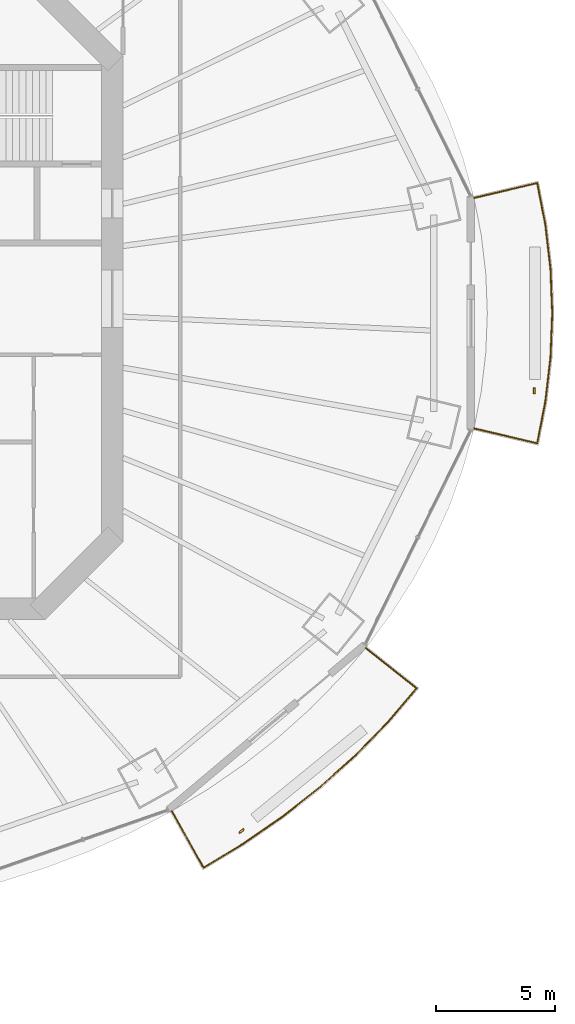
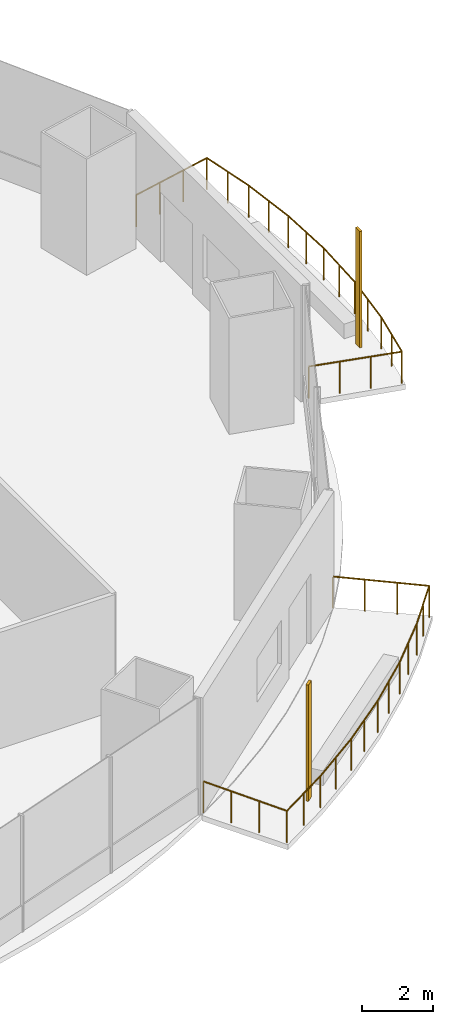
# One storey, part 16 of 19: 2 railings, 2 shading devices.
"""IFC4 building model written with IfcOpenShell, lengths in metres."""

from ifc_helpers import new_model, si_unit, direction, frame, origin, origin_2d, place, context, subcontext, project, spatial, rectangle, circle, extrude, material, material_profile, profile_set, type_object, element, save


model = new_model("IFC4")

# Units and contexts
model_context = context("Model", 3, precision=1e-05, world=origin(), true_north=direction((0.0, 1.0)))
body_context = subcontext(model_context, "Body", "Model", "MODEL_VIEW")
ifc_project = project(units=[si_unit("LENGTHUNIT", "METRE"), si_unit("AREAUNIT", "SQUARE_METRE"), si_unit("VOLUMEUNIT", "CUBIC_METRE"), si_unit("PLANEANGLEUNIT", "RADIAN"), si_unit("MASSUNIT", "GRAM", prefix="KILO")], contexts=[model_context])

# Site, building, storey
site_placement = place(None, origin())
site = spatial("IfcSite", under=ifc_project, at=site_placement, CompositionType="ELEMENT")
building_placement = place(site_placement, origin())
building = spatial("IfcBuilding", under=site, at=building_placement, Name="Marenthal Gate Tower", CompositionType="ELEMENT")
storey_placement = place(building_placement, frame((0.0, 0.0, 252.35009765625)))
storey = spatial("IfcBuildingStorey", under=building, at=storey_placement, Name="L56", CompositionType="ELEMENT", Elevation=252.35009765625)

# Railings
ifc_material_1 = material(Name="Stainless steel", Category="steel")
railing_type = type_object("IfcRailingType", Name="Balcony guard 1100", PredefinedType="GUARDRAIL", material=ifc_material_1)
railing_1_placement = place(storey_placement, frame((26.63037109375, -14.637451171875, 0.0)))
element("IfcRailing", 1, at=railing_1_placement, inside=storey, type_object=railing_type, Name="Balcony guard L56 bay 14", PredefinedType="GUARDRAIL", context=body_context, shape_type="SweptSolid", body=[
    extrude(circle(Radius=0.02392578125, at=origin_2d()), frame((0.0, 0.0, 1.076171875), z_axis=(0.783055581805, -0.621777543925, -0.014718752483), x_axis=(0.621844906334, 0.783140416826, 0.0)), (0.0, 0.0, 1.0), 2.72021484375),
    extrude(circle(Radius=0.02392578125, at=origin_2d()), frame((2.130126953125, -1.69140625, 1.0361328125), z_axis=(-0.649809223688, -0.760097344298, 0.0), x_axis=(0.760097344298, -0.649809223688, 0.0)), (0.0, 0.0, 1.0), 1.864013671875),
    extrude(circle(Radius=0.02392578125, at=origin_2d()), frame((0.9189453125, -3.108154296875, 1.0361328125), z_axis=(-0.698521536326, -0.715589032398, 0.0), x_axis=(0.715589032398, -0.698521536326, 0.0)), (0.0, 0.0, 1.0), 1.959716796875),
    extrude(circle(Radius=0.02392578125, at=origin_2d()), frame((-0.449951171875, -4.510498046875, 1.0361328125), z_axis=(-0.744196610974, -0.667960630737, 0.0), x_axis=(0.667960630737, -0.744196610974, 0.0)), (0.0, 0.0, 1.0), 1.975830078125),
    extrude(circle(Radius=0.02392578125, at=origin_2d()), frame((-1.92041015625, -5.830322265625, 1.0361328125), z_axis=(-0.785663114819, -0.618654564367, 0.0), x_axis=(0.618654564367, -0.785663114819, 0.0)), (0.0, 0.0, 1.0), 1.992431640625),
    extrude(circle(Radius=0.02392578125, at=origin_2d()), frame((-3.48583984375, -7.06298828125, 1.0361328125), z_axis=(-0.823079547335, -0.567926103256, 0.0), x_axis=(0.567926103256, -0.823079547335, 0.0)), (0.0, 0.0, 1.0), 2.00830078125),
    extrude(circle(Radius=0.02392578125, at=origin_2d()), frame((-5.138916015625, -8.20361328125, 1.0361328125), z_axis=(-0.855927117695, -0.517096479581, 0.0), x_axis=(0.517096479581, -0.855927117695, 0.0)), (0.0, 0.0, 1.0), 1.94482421875),
    extrude(circle(Radius=0.02392578125, at=origin_2d()), frame((-6.803466796875, -9.209228515625, 1.0361328125), z_axis=(-0.489935400912, 0.871634477681, 0.014718704112), x_axis=(-0.87172890858, -0.489988479401, 0.0)), (0.0, 0.0, 1.0), 2.72021484375),
    extrude(circle(Radius=0.02099609375, at=origin_2d()), origin(), (0.0, 0.0, 1.0), 1.052001953125),
    extrude(circle(Radius=0.02099609375, at=origin_2d()), frame((0.7099609375, -0.563720703125, -0.013427734375)), (0.0, 0.0, 1.0), 1.052001953125),
    extrude(circle(Radius=0.02099609375, at=origin_2d()), frame((1.420166015625, -1.127685546875, -0.026611328125)), (0.0, 0.0, 1.0), 1.052001953125),
    extrude(circle(Radius=0.02099609375, at=origin_2d()), frame((2.130126953125, -1.69140625, -0.0400390625)), (0.0, 0.0, 1.0), 1.052001953125),
    extrude(circle(Radius=0.02099609375, at=origin_2d()), frame((1.5244140625, -2.39990234375, -0.0400390625)), (0.0, 0.0, 1.0), 1.052001953125),
    extrude(circle(Radius=0.02099609375, at=origin_2d()), frame((0.9189453125, -3.108154296875, -0.0400390625)), (0.0, 0.0, 1.0), 1.052001953125),
    extrude(circle(Radius=0.02099609375, at=origin_2d()), frame((0.234375, -3.809326171875, -0.0400390625)), (0.0, 0.0, 1.0), 1.052001953125),
    extrude(circle(Radius=0.02099609375, at=origin_2d()), frame((-0.449951171875, -4.510498046875, -0.0400390625)), (0.0, 0.0, 1.0), 1.052001953125),
    extrude(circle(Radius=0.02099609375, at=origin_2d()), frame((-1.18505859375, -5.17041015625, -0.0400390625)), (0.0, 0.0, 1.0), 1.052001953125),
    extrude(circle(Radius=0.02099609375, at=origin_2d()), frame((-1.92041015625, -5.830322265625, -0.0400390625)), (0.0, 0.0, 1.0), 1.052001953125),
    extrude(circle(Radius=0.02099609375, at=origin_2d()), frame((-2.703125, -6.44677734375, -0.0400390625)), (0.0, 0.0, 1.0), 1.052001953125),
    extrude(circle(Radius=0.02099609375, at=origin_2d()), frame((-3.48583984375, -7.06298828125, -0.0400390625)), (0.0, 0.0, 1.0), 1.052001953125),
    extrude(circle(Radius=0.02099609375, at=origin_2d()), frame((-4.3125, -7.63330078125, -0.0400390625)), (0.0, 0.0, 1.0), 1.052001953125),
    extrude(circle(Radius=0.02099609375, at=origin_2d()), frame((-5.138916015625, -8.20361328125, -0.0400390625)), (0.0, 0.0, 1.0), 1.052001953125),
    extrude(circle(Radius=0.02099609375, at=origin_2d()), frame((-5.97119140625, -8.70654296875, -0.0400390625)), (0.0, 0.0, 1.0), 1.052001953125),
    extrude(circle(Radius=0.02099609375, at=origin_2d()), frame((-6.803466796875, -9.209228515625, -0.0400390625)), (0.0, 0.0, 1.0), 1.052001953125),
    extrude(circle(Radius=0.02099609375, at=origin_2d()), frame((-7.247802734375, -8.4189453125, -0.026611328125)), (0.0, 0.0, 1.0), 1.052001953125),
    extrude(circle(Radius=0.02099609375, at=origin_2d()), frame((-7.69189453125, -7.62841796875, -0.013427734375)), (0.0, 0.0, 1.0), 1.052001953125),
    extrude(circle(Radius=0.02099609375, at=origin_2d()), frame((-8.13623046875, -6.838134765625, 0.0)), (0.0, 0.0, 1.0), 1.052001953125),
])
railing_2_placement = place(storey_placement, frame((31.16650390625, 4.2294921875, 0.0)))
element("IfcRailing", 2, at=railing_2_placement, inside=storey, type_object=railing_type, Name="Balcony guard L56 bay 16", PredefinedType="GUARDRAIL", context=body_context, shape_type="SweptSolid", body=[
    extrude(circle(Radius=0.02392578125, at=origin_2d()), frame((0.0, 0.0, 1.076171875), z_axis=(0.973072245699, 0.230029899071, -0.014719041532), x_axis=(-0.23005482113, 0.97317767097, 0.0)), (0.0, 0.0, 1.0), 2.72021484375),
    extrude(circle(Radius=0.02392578125, at=origin_2d()), frame((2.64697265625, 0.625732421875, 1.0361328125), z_axis=(0.19100882276, -0.981588319831, 0.0), x_axis=(0.981588319831, 0.19100882276, 0.0)), (0.0, 0.0, 1.0), 1.784423828125),
    extrude(circle(Radius=0.02392578125, at=origin_2d()), frame((2.98779296875, -1.125732421875, 1.0361328125), z_axis=(0.116292910733, -0.99321496108, 0.0), x_axis=(0.99321496108, 0.116292910733, 0.0)), (0.0, 0.0, 1.0), 1.860107421875),
    extrude(circle(Radius=0.02392578125, at=origin_2d()), frame((3.2041015625, -2.97314453125, 1.0361328125), z_axis=(0.039028631449, -0.999238092712, 0.0), x_axis=(0.999238092712, 0.039028631449, 0.0)), (0.0, 0.0, 1.0), 1.85791015625),
    extrude(circle(Radius=0.02392578125, at=origin_2d()), frame((3.276611328125, -4.82958984375, 1.0361328125), z_axis=(-0.039028631449, -0.999238092712, 0.0), x_axis=(0.999238092712, -0.039028631449, 0.0)), (0.0, 0.0, 1.0), 1.85791015625),
    extrude(circle(Radius=0.02392578125, at=origin_2d()), frame((3.2041015625, -6.68603515625, 1.0361328125), z_axis=(-0.116308073283, -0.99321318562, 0.0), x_axis=(0.99321318562, -0.116308073283, 0.0)), (0.0, 0.0, 1.0), 1.85986328125),
    extrude(circle(Radius=0.02392578125, at=origin_2d()), frame((2.98779296875, -8.533203125, 1.0361328125), z_axis=(-0.19100882276, -0.981588319831, 0.0), x_axis=(0.981588319831, -0.19100882276, 0.0)), (0.0, 0.0, 1.0), 1.784423828125),
    extrude(circle(Radius=0.02392578125, at=origin_2d()), frame((2.64697265625, -10.28466796875, 1.0361328125), z_axis=(-0.973072245699, 0.230029899071, 0.014719041532), x_axis=(-0.23005482113, -0.97317767097, 0.0)), (0.0, 0.0, 1.0), 2.72021484375),
    extrude(circle(Radius=0.02099609375, at=origin_2d()), origin(), (0.0, 0.0, 1.0), 1.052001953125),
    extrude(circle(Radius=0.02099609375, at=origin_2d()), frame((0.88232421875, 0.20849609375, -0.013427734375)), (0.0, 0.0, 1.0), 1.052001953125),
    extrude(circle(Radius=0.02099609375, at=origin_2d()), frame((1.7646484375, 0.417236328125, -0.026611328125)), (0.0, 0.0, 1.0), 1.052001953125),
    extrude(circle(Radius=0.02099609375, at=origin_2d()), frame((2.64697265625, 0.625732421875, -0.0400390625)), (0.0, 0.0, 1.0), 1.052001953125),
    extrude(circle(Radius=0.02099609375, at=origin_2d()), frame((2.8173828125, -0.25, -0.0400390625)), (0.0, 0.0, 1.0), 1.052001953125),
    extrude(circle(Radius=0.02099609375, at=origin_2d()), frame((2.98779296875, -1.125732421875, -0.0400390625)), (0.0, 0.0, 1.0), 1.052001953125),
    extrude(circle(Radius=0.02099609375, at=origin_2d()), frame((3.095947265625, -2.04931640625, -0.0400390625)), (0.0, 0.0, 1.0), 1.052001953125),
    extrude(circle(Radius=0.02099609375, at=origin_2d()), frame((3.2041015625, -2.97314453125, -0.0400390625)), (0.0, 0.0, 1.0), 1.052001953125),
    extrude(circle(Radius=0.02099609375, at=origin_2d()), frame((3.240234375, -3.9013671875, -0.0400390625)), (0.0, 0.0, 1.0), 1.052001953125),
    extrude(circle(Radius=0.02099609375, at=origin_2d()), frame((3.276611328125, -4.82958984375, -0.0400390625)), (0.0, 0.0, 1.0), 1.052001953125),
    extrude(circle(Radius=0.02099609375, at=origin_2d()), frame((3.240234375, -5.7578125, -0.0400390625)), (0.0, 0.0, 1.0), 1.052001953125),
    extrude(circle(Radius=0.02099609375, at=origin_2d()), frame((3.2041015625, -6.68603515625, -0.0400390625)), (0.0, 0.0, 1.0), 1.052001953125),
    extrude(circle(Radius=0.02099609375, at=origin_2d()), frame((3.095947265625, -7.609619140625, -0.0400390625)), (0.0, 0.0, 1.0), 1.052001953125),
    extrude(circle(Radius=0.02099609375, at=origin_2d()), frame((2.98779296875, -8.533203125, -0.0400390625)), (0.0, 0.0, 1.0), 1.052001953125),
    extrude(circle(Radius=0.02099609375, at=origin_2d()), frame((2.8173828125, -9.408935546875, -0.0400390625)), (0.0, 0.0, 1.0), 1.052001953125),
    extrude(circle(Radius=0.02099609375, at=origin_2d()), frame((2.64697265625, -10.28466796875, -0.0400390625)), (0.0, 0.0, 1.0), 1.052001953125),
    extrude(circle(Radius=0.02099609375, at=origin_2d()), frame((1.7646484375, -10.076171875, -0.026611328125)), (0.0, 0.0, 1.0), 1.052001953125),
    extrude(circle(Radius=0.02099609375, at=origin_2d()), frame((0.88232421875, -9.867431640625, -0.013427734375)), (0.0, 0.0, 1.0), 1.052001953125),
    extrude(circle(Radius=0.02099609375, at=origin_2d()), frame((0.0, -9.658935546875, 0.0)), (0.0, 0.0, 1.0), 1.052001953125),
])

# Shading devices
ifc_material_2 = material(Name="Terracotta", Category="masonry")
ifc_material_profile = material_profile(ifc_material_2, rectangle(XDim=0.25, YDim=0.080078125, at=origin_2d()), Name="Terracotta baguette 250x80")
ifc_profile_set = profile_set([ifc_material_profile], Name="Terracotta")
shading_device_type = type_object("IfcShadingDeviceType", Name="Terracotta BAGUETTE SCREEN 250x80", PredefinedType="USERDEFINED", material=ifc_profile_set)
for number, where, z_axis, x_axis, name in (
    (3, (21.41748046875, -22.3095703125, -0.0400390625), (0.0, 0.0, 1.0), (0.765398416376, 0.643556729597, 0.0), "Terracotta BAGUETTE L56 bay 14L"),
    (4, (33.69091796875, -3.85205078125, -0.0400390625), (0.0, 0.0, 1.0), (0.0, 1.0, 0.0), "Terracotta BAGUETTE L56 bay 16L"),
):
    element("IfcShadingDevice", number, at=place(storey_placement, frame(where, z_axis=z_axis, x_axis=x_axis)), inside=storey, type_object=shading_device_type, Name=name, ObjectType="BAGUETTE SCREEN", PredefinedType="USERDEFINED", context=body_context, shape_type="SweptSolid", body=[
        extrude(rectangle(XDim=0.25, YDim=0.080078125, at=origin_2d()), origin(), (0.0, 0.0, 1.0), 3.969970703125),
    ])

save(model, "model.ifc")
